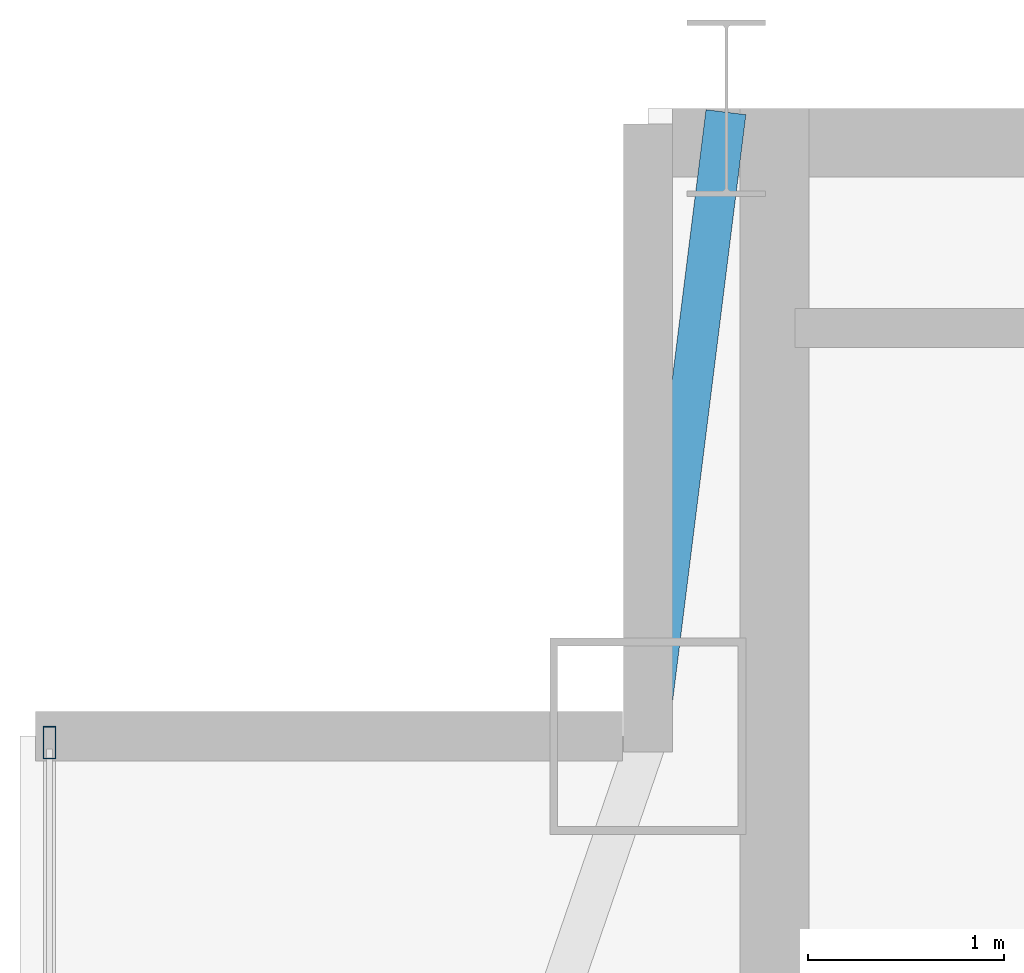
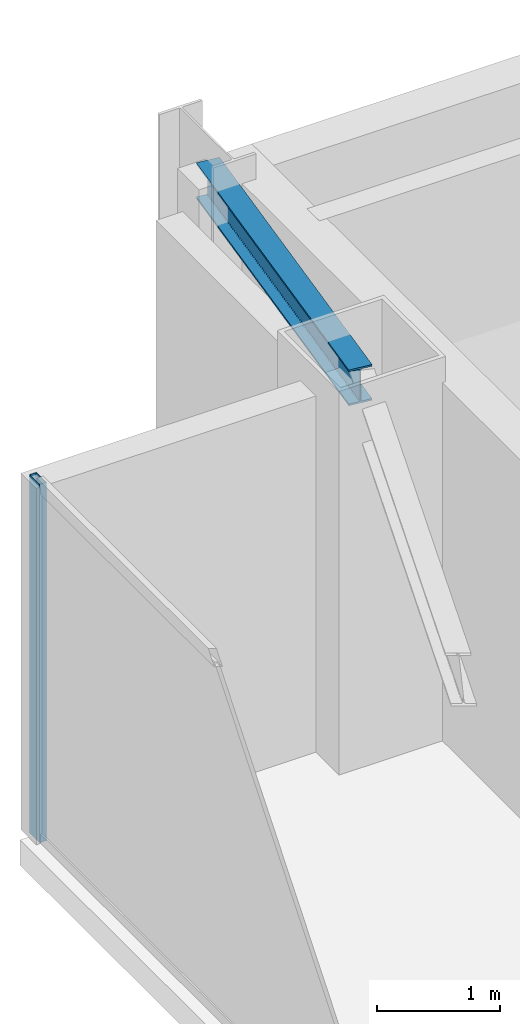
# One storey, part 15 of 25: 1 beam, 1 member, 1 element without a shape of its own.
"""IFC4 building model written with IfcOpenShell, lengths in metres."""

from ifc_helpers import new_model, si_unit, direction, frame, origin, origin_2d, place, context, subcontext, project, spatial, hollow_rectangle, i_section, extrude, source, transform, mapped, material, layer, layer_set, material_profile, profile_set, type_object, type_shapes, element, aggregate, save


model = new_model("IFC4")

# Units and contexts
model_context = context("Model", 3, precision=1e-05, world=origin(), true_north=direction((0.0, 1.0)))
body_context = subcontext(model_context, "Body", "Model", "MODEL_VIEW")
ifc_project = project(units=[si_unit("LENGTHUNIT", "METRE"), si_unit("AREAUNIT", "SQUARE_METRE"), si_unit("VOLUMEUNIT", "CUBIC_METRE"), si_unit("PLANEANGLEUNIT", "RADIAN"), si_unit("MASSUNIT", "GRAM", prefix="KILO")], contexts=[model_context])

# Site, building, storey
site_placement = place(None, origin())
site = spatial("IfcSite", under=ifc_project, at=site_placement, CompositionType="ELEMENT")
building_placement = place(site_placement, origin())
building = spatial("IfcBuilding", under=site, at=building_placement, Name="Varnel Quay Broadcast Tower", CompositionType="ELEMENT")
storey_placement = place(building_placement, frame((0.0, 0.0, 288.800048828125)))
storey = spatial("IfcBuildingStorey", under=building, at=storey_placement, Name="L72", CompositionType="ELEMENT", Elevation=288.800048828125)

# Beam
ifc_material_1 = material(Name="Structural Steel CSA G40.21 350W", Category="steel")
ifc_material_profile_1 = material_profile(ifc_material_1, i_section(OverallWidth=0.205078125, OverallDepth=0.35400390625, WebThickness=0.009521484375, FlangeThickness=0.016845703125, FilletRadius=0.012939453125, at=origin_2d()), Name="W360X79")
ifc_profile_set_1 = profile_set([ifc_material_profile_1], Name="Structural Steel CSA G40.21 350W")
beam_type = type_object("IfcBeamType", Name="Beam_W360X79", PredefinedType="SPANDREL", material=ifc_profile_set_1)
shared_shape_1 = source(origin(), body_context, "Body", "SweptSolid", [
    extrude(i_section(OverallWidth=0.205078125, OverallDepth=0.35400390625, WebThickness=0.009521484375, FlangeThickness=0.016845703125, FilletRadius=0.012939453125, at=origin_2d()), origin(), (0.0, 0.0, 1.0), 3.18505859375),
])
type_shapes(beam_type, [shared_shape_1])
beam_placement = place(storey_placement, frame((15.202392578125, 43.619873046875, 3.373046875), z_axis=(0.124025300311, 0.992279055953, 0.0), x_axis=(-0.992279055953, 0.124025300311, 0.0)))
element("IfcBeam", 1, at=beam_placement, inside=storey, type_object=beam_type, Name="L72 NW Tie Spandrel", PredefinedType="SPANDREL", context=body_context, shape_type="MappedRepresentation", body=[
    mapped(shared_shape_1, transform((0.0, 0.0, 0.0), x_axis=(1.0, 0.0, 0.0), y_axis=(0.0, 1.0, 0.0), z_axis=(0.0, 0.0, 1.0), scale=1.0)),
])

# Curtain wall, member
ifc_material_2 = material(Name="Anodised Bronze Aluminium 6063-T6", Category="aluminium")
ifc_layer = layer(ifc_material_2, 0.18994140625, Name="Anodised Bronze Aluminium 6063-T6")
ifc_layer_set = layer_set([ifc_layer], Name="Anodised Bronze Aluminium 6063-T6")
curtain_wall_type = type_object("IfcCurtainWallType", Name="CW_UpperTower", PredefinedType="NOTDEFINED", material=ifc_layer_set)
curtain_wall_placement = place(storey_placement, origin())
curtain_wall = element("IfcCurtainWall", 2, at=curtain_wall_placement, inside=storey, type_object=curtain_wall_type, Name="L72 West Unitised Curtain Wall", PredefinedType="NOTDEFINED")
ifc_material_profile_2 = material_profile(ifc_material_2, hollow_rectangle(XDim=0.06494140625, YDim=0.1650390625, WallThickness=0.00341796875, at=origin_2d()), Name="ALU65X165X3.5")
ifc_profile_set_2 = profile_set([ifc_material_profile_2], Name="Anodised Bronze Aluminium 6063-T6")
member_type = type_object("IfcMemberType", Name="Mull_CWS-03", PredefinedType="MULLION", material=ifc_profile_set_2)
shared_shape_2 = source(origin(), body_context, "Body", "SweptSolid", [
    extrude(hollow_rectangle(XDim=0.06494140625, YDim=0.1650390625, WallThickness=0.00341796875, at=origin_2d()), origin(), (0.0, 0.0, 1.0), 3.550048828125),
])
type_shapes(member_type, [shared_shape_2])
member_placement = place(storey_placement, frame((12.14990234375, 43.5673828125, 0.0), z_axis=(0.0, 0.0, 1.0), x_axis=(-1.0, 0.0, 0.0)))
member = element("IfcMember", 3, at=member_placement, type_object=member_type, Name="CWS-03 mullion 3", PredefinedType="MULLION", context=body_context, shape_type="MappedRepresentation", body=[
    mapped(shared_shape_2, transform((0.0, 0.0, 0.0), x_axis=(1.0, 0.0, 0.0), y_axis=(0.0, 1.0, 0.0), z_axis=(0.0, 0.0, 1.0), scale=1.0)),
])
aggregate(curtain_wall, [member])

save(model, "model.ifc")
